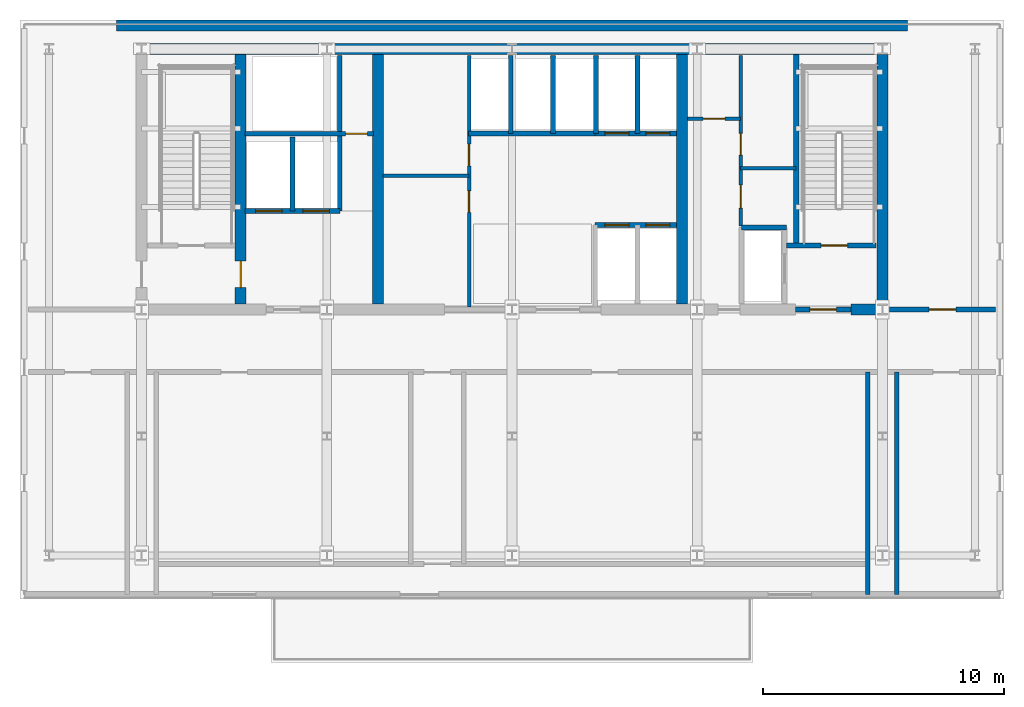
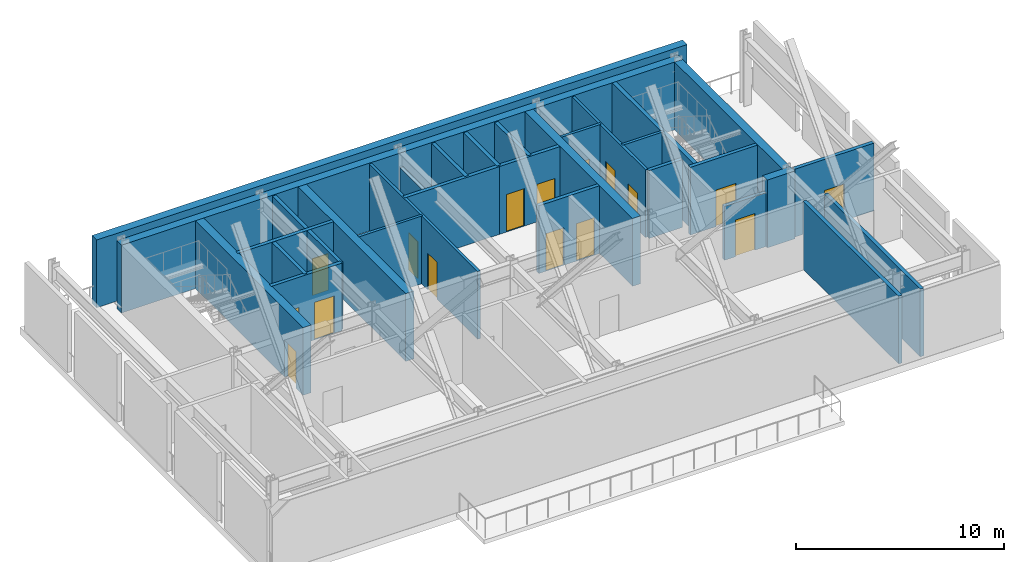
# One storey, part 3 of 8: 30 walls, 16 doors, 16 openings.
"""IFC4 building model written with IfcOpenShell, lengths in metres."""

from ifc_helpers import new_model, si_unit, direction, frame, frame_2d, origin, place, context, subcontext, project, spatial, rectangle, extrude, material, layer, layer_set, type_object, element, fill, save


model = new_model("IFC4")

# Units and contexts
model_context = context("Model", 3, precision=1e-05, world=origin(), true_north=direction((0.0, 1.0)))
body_context = subcontext(model_context, "Body", "Model", "MODEL_VIEW")
ifc_project = project(units=[si_unit("LENGTHUNIT", "METRE"), si_unit("AREAUNIT", "SQUARE_METRE"), si_unit("VOLUMEUNIT", "CUBIC_METRE"), si_unit("PLANEANGLEUNIT", "RADIAN"), si_unit("MASSUNIT", "GRAM", prefix="KILO")], contexts=[model_context])

# Site, building, storey
site_placement = place(None, origin())
site = spatial("IfcSite", under=ifc_project, at=site_placement, CompositionType="ELEMENT")
building_placement = place(site_placement, origin())
building = spatial("IfcBuilding", under=site, at=building_placement, Name="Yelkora Congress Tower", CompositionType="ELEMENT")
storey_placement = place(building_placement, frame((0.0, 0.0, 191.89990234375)))
storey = spatial("IfcBuildingStorey", under=building, at=storey_placement, Name="L53", CompositionType="ELEMENT", Elevation=191.89990234375)

# Walls
ifc_material_1 = material(Name="Concrete C60/75", Category="concrete")
ifc_layer_1 = layer(ifc_material_1, 0.449951171875)
ifc_layer_set_1 = layer_set([ifc_layer_1], Name="Concrete C60/75")
wall_type_1 = type_object("IfcWallType", Name="WALL-CORE-EXT-450", PredefinedType="SHEAR", material=ifc_layer_set_1)
wall_1_placement = place(storey_placement, frame((22.0, 47.175048828125, 0.0), z_axis=(0.0, 0.0, 1.0), x_axis=(1.0, 0.0, 0.0)))
element("IfcWall", 1, at=wall_1_placement, inside=storey, type_object=wall_type_1, Name="L53 Exterior North Core Shear Wall", PredefinedType="SHEAR", context=body_context, shape_type="SweptSolid", body=[
    extrude(rectangle(XDim=32.800048828125, YDim=0.449951171875, at=frame_2d((16.39990234375, 0.0))), origin(), (0.0, 0.0, 1.0), 3.97998046875),
])
ifc_material_2 = material(Name="Concrete C50/60", Category="concrete")
ifc_layer_2 = layer(ifc_material_2, 0.219970703125)
ifc_layer_set_2 = layer_set([ifc_layer_2], Name="Concrete C50/60")
wall_type_2 = type_object("IfcWallType", Name="WALL-CORE-INT-220", PredefinedType="SHEAR", material=ifc_layer_set_2)
wall_2_placement = place(storey_placement, frame((50.179931640625, 38.050048828125, 0.0), z_axis=(0.0, 0.0, 1.0), x_axis=(0.0, 1.0, 0.0)))
element("IfcWall", 2, at=wall_2_placement, inside=storey, type_object=wall_type_2, Name="L53 ST02 West Stair Shear Wall", PredefinedType="SHEAR", context=body_context, shape_type="SweptSolid", body=[
    extrude(rectangle(XDim=7.925048828125, YDim=0.219970703125, at=frame_2d((3.96240234375, 0.0))), origin(), (0.0, 0.0, 1.0), 3.97998046875),
])
ifc_layer_3 = layer(ifc_material_1, 0.449951171875)
ifc_layer_set_3 = layer_set([ifc_layer_3], Name="Concrete C60/75")
wall_type_3 = type_object("IfcWallType", Name="WALL-CORE-INT-450", PredefinedType="SHEAR", material=ifc_layer_set_3)
wall_3_placement = place(storey_placement, frame((22.81494140625, 46.199951171875, 0.0), z_axis=(0.0, 0.0, 1.0), x_axis=(1.0, 0.0, 0.0)))
element("IfcWall", 3, at=wall_3_placement, inside=storey, type_object=wall_type_3, Name="L53 Rear Core North Shear Wall", PredefinedType="SHEAR", context=body_context, shape_type="SweptSolid", body=[
    extrude(rectangle(XDim=31.170166015625, YDim=0.449951171875, at=frame_2d((15.5849609375, 0.0))), origin(), (0.0, 0.0, 1.0), 3.97998046875),
])
wall_4_placement = place(storey_placement, frame((52.449951171875, 35.39990234375, 0.0), z_axis=(0.0, 0.0, 1.0), x_axis=(1.0, 0.0, 0.0)))
element("IfcWall", 4, at=wall_4_placement, inside=storey, type_object=wall_type_3, Name="L53 Rear Core South-East Shear Wall B", PredefinedType="SHEAR", context=body_context, shape_type="SweptSolid", body=[
    extrude(rectangle(XDim=1.53515625, YDim=0.449951171875, at=frame_2d((0.767578125, 0.0))), origin(), (0.0, 0.0, 1.0), 3.97998046875),
])

# Wall, opening, door
wall_5_placement = place(storey_placement, frame((27.14990234375, 35.625, 0.0), z_axis=(0.0, 0.0, 1.0), x_axis=(0.0, 1.0, 0.0)))
wall_5 = element("IfcWall", 5, at=wall_5_placement, inside=storey, type_object=wall_type_3, Name="L53 Rear Core Cross Shear Wall C1", PredefinedType="SHEAR", context=body_context, shape_type="SweptSolid", body=[
    extrude(rectangle(XDim=10.35009765625, YDim=0.449951171875, at=frame_2d((5.175048828125, 0.0))), origin(), (0.0, 0.0, 1.0), 3.97998046875),
])
opening_1_placement = place(wall_5_placement, frame((0.675048828125, 0.0, 0.0)))
opening_1 = element("IfcOpeningElement", 6, at=opening_1_placement, cuts=wall_5, Name="Opening DR-110F9", PredefinedType="OPENING", context=body_context, shape_type="SweptSolid", body=[
    extrude(rectangle(XDim=1.10009765625, YDim=2.14990234375, at=frame_2d((0.550048828125, 1.074951171875))), frame((0.0, 0.23486328125, 0.0), z_axis=(0.0, -1.0, 0.0), x_axis=(1.0, 0.0, 0.0)), (0.0, 0.0, 1.0), 0.469970703125),
])
ifc_material_3 = material(Name="Galvanised steel fire door leaf", Category="steel")
door_type_1 = type_object("IfcDoorType", Name="DOOR-FD90-1100", OperationType="NOTDEFINED", PredefinedType="DOOR", material=ifc_material_3)
door_1_placement = place(opening_1_placement, origin())
door_1 = element("IfcDoor", 7, at=door_1_placement, inside=storey, type_object=door_type_1, Name="L53 Firefighting Stair Transfer Door", OperationType="SINGLE_SWING_LEFT", OverallHeight=2.14990234375, OverallWidth=1.10009765625, PredefinedType="DOOR", context=body_context, shape_type="SweptSolid", body=[
    extrude(rectangle(XDim=1.10009765625, YDim=2.14990234375, at=frame_2d((0.550048828125, 1.074951171875))), frame((0.0, 0.02490234375, 0.0), z_axis=(0.0, -1.0, 0.0), x_axis=(1.0, 0.0, 0.0)), (0.0, 0.0, 1.0), 0.050048828125),
])
fill(opening_1, door_1)

# Walls
for number, where, z_axis, x_axis, name in (
    (8, (32.85009765625, 35.625, 0.0), (0.0, 0.0, 1.0), (0.0, 1.0, 0.0), "L53 Rear Core Cross Shear Wall C2"),
    (9, (45.449951171875, 35.625, 0.0), (0.0, 0.0, 1.0), (0.0, 1.0, 0.0), "L53 Rear Core Cross Shear Wall C3"),
    (10, (53.760009765625, 35.625, 0.0), (0.0, 0.0, 1.0), (0.0, 1.0, 0.0), "L53 Rear Core Cross Shear Wall E"),
):
    element("IfcWall", number, at=place(storey_placement, frame(where, z_axis=z_axis, x_axis=x_axis)), inside=storey, type_object=wall_type_3, Name=name, PredefinedType="SHEAR", context=body_context, shape_type="SweptSolid", body=[
        extrude(rectangle(XDim=10.35009765625, YDim=0.449951171875, at=frame_2d((5.175048828125, 0.0))), origin(), (0.0, 0.0, 1.0), 3.97998046875),
    ])

# Wall, opening, door
ifc_material_4 = material(Name="Acoustic metal-stud gypsum partition", Category="gypsum")
ifc_layer_4 = layer(ifc_material_4, 0.14990234375)
ifc_layer_set_4 = layer_set([ifc_layer_4], Name="Acoustic metal-stud gypsum partition")
wall_type_4 = type_object("IfcWallType", Name="WALL-INT-150-NR", PredefinedType="PARTITIONING", material=ifc_layer_set_4)
wall_6_placement = place(storey_placement, frame((45.679931640625, 43.31005859375, 0.0), z_axis=(0.0, 0.0, 1.0), x_axis=(1.0, 0.0, 0.0)))
wall_6 = element("IfcWall", 11, at=wall_6_placement, inside=storey, type_object=wall_type_4, Name="L53 Partition Wall 24", PredefinedType="PARTITIONING", context=body_context, shape_type="SweptSolid", body=[
    extrude(rectangle(XDim=2.199951171875, YDim=0.14990234375, at=frame_2d((1.10009765625, 0.0))), origin(), (0.0, 0.0, 1.0), 3.97998046875),
])
opening_2_placement = place(wall_6_placement, frame((0.64990234375, 0.0, 0.0)))
opening_2 = element("IfcOpeningElement", 12, at=opening_2_placement, cuts=wall_6, Name="Opening DR-090N", PredefinedType="OPENING", context=body_context, shape_type="SweptSolid", body=[
    extrude(rectangle(XDim=0.89990234375, YDim=2.14990234375, at=frame_2d((0.449951171875, 1.074951171875))), frame((0.0, 0.0849609375, 0.0), z_axis=(0.0, -1.0, 0.0), x_axis=(1.0, 0.0, 0.0)), (0.0, 0.0, 1.0), 0.169921875),
])
ifc_material_5 = material(Name="Moisture-resistant laminate door leaf", Category="wood")
door_type_2 = type_object("IfcDoorType", Name="DOOR-INT-900", OperationType="NOTDEFINED", PredefinedType="DOOR", material=ifc_material_5)
door_2_placement = place(opening_2_placement, origin())
door_2 = element("IfcDoor", 13, at=door_2_placement, inside=storey, type_object=door_type_2, Name="L53 Male WC Door", OperationType="SINGLE_SWING_RIGHT", OverallHeight=2.14990234375, OverallWidth=0.89990234375, PredefinedType="DOOR", context=body_context, shape_type="SweptSolid", body=[
    extrude(rectangle(XDim=0.89990234375, YDim=2.14990234375, at=frame_2d((0.449951171875, 1.074951171875))), frame((0.0, 0.02490234375, 0.0), z_axis=(0.0, -1.0, 0.0), x_axis=(1.0, 0.0, 0.0)), (0.0, 0.0, 1.0), 0.050048828125),
])
fill(opening_2, door_2)

# Wall
wall_7_placement = place(storey_placement, frame((47.8798828125, 41.260009765625, 0.0), z_axis=(0.0, 0.0, 1.0), x_axis=(1.0, 0.0, 0.0)))
element("IfcWall", 14, at=wall_7_placement, inside=storey, type_object=wall_type_4, Name="L53 Partition Wall 25", PredefinedType="PARTITIONING", context=body_context, shape_type="SweptSolid", body=[
    extrude(rectangle(XDim=2.300048828125, YDim=0.14990234375, at=frame_2d((1.14990234375, 0.0))), origin(), (0.0, 0.0, 1.0), 3.97998046875),
])

# Wall, openings, doors
wall_8_placement = place(storey_placement, frame((47.8798828125, 38.85009765625, 0.0), z_axis=(0.0, 0.0, 1.0), x_axis=(0.0, 1.0, 0.0)))
wall_8 = element("IfcWall", 15, at=wall_8_placement, inside=storey, type_object=wall_type_4, Name="L53 Partition Wall 26", PredefinedType="PARTITIONING", context=body_context, shape_type="SweptSolid", body=[
    extrude(rectangle(XDim=7.06982421875, YDim=0.14990234375, at=frame_2d((3.534912109375, 0.0))), origin(), (0.0, 0.0, 1.0), 3.97998046875),
])
opening_3_placement = place(wall_8_placement, frame((0.75, 0.0, 0.0)))
opening_3 = element("IfcOpeningElement", 16, at=opening_3_placement, cuts=wall_8, Name="Opening DR-095N", PredefinedType="OPENING", context=body_context, shape_type="SweptSolid", body=[
    extrude(rectangle(XDim=0.949951171875, YDim=2.14990234375, at=frame_2d((0.47509765625, 1.074951171875))), frame((0.0, 0.0849609375, 0.0), z_axis=(0.0, -1.0, 0.0), x_axis=(1.0, 0.0, 0.0)), (0.0, 0.0, 1.0), 0.169921875),
])
opening_4_placement = place(wall_8_placement, frame((2.949951171875, 0.0, 0.0)))
opening_4 = element("IfcOpeningElement", 17, at=opening_4_placement, cuts=wall_8, Name="Opening DR-090N", PredefinedType="OPENING", context=body_context, shape_type="SweptSolid", body=[
    extrude(rectangle(XDim=0.89990234375, YDim=2.14990234375, at=frame_2d((0.449951171875, 1.074951171875))), frame((0.0, 0.0849609375, 0.0), z_axis=(0.0, -1.0, 0.0), x_axis=(1.0, 0.0, 0.0)), (0.0, 0.0, 1.0), 0.169921875),
])
door_3_placement = place(opening_4_placement, origin())
door_3 = element("IfcDoor", 18, at=door_3_placement, inside=storey, type_object=door_type_2, Name="L53 Female WC Door", OperationType="SINGLE_SWING_RIGHT", OverallHeight=2.14990234375, OverallWidth=0.89990234375, PredefinedType="DOOR", context=body_context, shape_type="SweptSolid", body=[
    extrude(rectangle(XDim=0.89990234375, YDim=2.14990234375, at=frame_2d((0.449951171875, 1.074951171875))), frame((0.0, 0.02490234375, 0.0), z_axis=(0.0, -1.0, 0.0), x_axis=(1.0, 0.0, 0.0)), (0.0, 0.0, 1.0), 0.050048828125),
])
fill(opening_4, door_3)
ifc_material_6 = material(Name="Acoustic laminated timber office door", Category="wood")
door_type_3 = type_object("IfcDoorType", Name="DOOR-INT-950", OperationType="NOTDEFINED", PredefinedType="DOOR", material=ifc_material_6)
door_4_placement = place(opening_3_placement, origin())
door_4 = element("IfcDoor", 19, at=door_4_placement, inside=storey, type_object=door_type_3, Name="L53 Accessible WC Door", OperationType="SINGLE_SWING_LEFT", OverallHeight=2.14990234375, OverallWidth=0.949951171875, PredefinedType="DOOR", context=body_context, shape_type="SweptSolid", body=[
    extrude(rectangle(XDim=0.949951171875, YDim=2.14990234375, at=frame_2d((0.47509765625, 1.074951171875))), frame((0.0, 0.02490234375, 0.0), z_axis=(0.0, -1.0, 0.0), x_axis=(1.0, 0.0, 0.0)), (0.0, 0.0, 1.0), 0.050048828125),
])
fill(opening_3, door_4)

# Wall
ifc_material_7 = material(Name="Twin-stud fire-rated gypsum partition", Category="gypsum")
ifc_layer_5 = layer(ifc_material_7, 0.14990234375)
ifc_layer_set_5 = layer_set([ifc_layer_5], Name="Twin-stud fire-rated gypsum partition")
wall_type_5 = type_object("IfcWallType", Name="WALL-INT-150-R60", PredefinedType="PARTITIONING", material=ifc_layer_set_5)
wall_9_placement = place(storey_placement, frame((33.050048828125, 40.949951171875, 0.0), z_axis=(0.0, 0.0, 1.0), x_axis=(1.0, 0.0, 0.0)))
element("IfcWall", 20, at=wall_9_placement, inside=storey, type_object=wall_type_5, Name="L53 Partition Wall 11", PredefinedType="PARTITIONING", context=body_context, shape_type="SweptSolid", body=[
    extrude(rectangle(XDim=3.570068359375, YDim=0.14990234375, at=frame_2d((1.78515625, 0.0))), origin(), (0.0, 0.0, 1.0), 3.97998046875),
])

# Wall, openings, doors
wall_10_placement = place(storey_placement, frame((36.6201171875, 35.5, 0.0), z_axis=(0.0, 0.0, 1.0), x_axis=(0.0, 1.0, 0.0)))
wall_10 = element("IfcWall", 21, at=wall_10_placement, inside=storey, type_object=wall_type_5, Name="L53 Partition Wall 12", PredefinedType="PARTITIONING", context=body_context, shape_type="SweptSolid", body=[
    extrude(rectangle(XDim=10.419921875, YDim=0.14990234375, at=frame_2d((5.2099609375, 0.0))), origin(), (0.0, 0.0, 1.0), 3.97998046875),
])
opening_5_placement = place(wall_10_placement, frame((3.919921875, 0.0, 0.0)))
opening_5 = element("IfcOpeningElement", 22, at=opening_5_placement, cuts=wall_10, Name="Opening DR-090F6", PredefinedType="OPENING", context=body_context, shape_type="SweptSolid", body=[
    extrude(rectangle(XDim=0.89990234375, YDim=2.14990234375, at=frame_2d((0.449951171875, 1.074951171875))), frame((0.0, 0.0849609375, 0.0), z_axis=(0.0, -1.0, 0.0), x_axis=(1.0, 0.0, 0.0)), (0.0, 0.0, 1.0), 0.169921875),
])
opening_6_placement = place(wall_10_placement, frame((5.85009765625, 0.0, 0.0)))
opening_6 = element("IfcOpeningElement", 23, at=opening_6_placement, cuts=wall_10, Name="Opening DR-090F6", PredefinedType="OPENING", context=body_context, shape_type="SweptSolid", body=[
    extrude(rectangle(XDim=0.89990234375, YDim=2.14990234375, at=frame_2d((0.449951171875, 1.074951171875))), frame((0.0, 0.0849609375, 0.0), z_axis=(0.0, -1.0, 0.0), x_axis=(1.0, 0.0, 0.0)), (0.0, 0.0, 1.0), 0.169921875),
])
ifc_material_8 = material(Name="Painted steel riser fire door leaf", Category="steel")
door_type_4 = type_object("IfcDoorType", Name="DOOR-FD60-900", OperationType="NOTDEFINED", PredefinedType="DOOR", material=ifc_material_8)
door_5_placement = place(opening_5_placement, origin())
door_5 = element("IfcDoor", 24, at=door_5_placement, inside=storey, type_object=door_type_4, Name="L53 Telecom Store Door", OperationType="SINGLE_SWING_LEFT", OverallHeight=2.14990234375, OverallWidth=0.89990234375, PredefinedType="DOOR", context=body_context, shape_type="SweptSolid", body=[
    extrude(rectangle(XDim=0.89990234375, YDim=2.14990234375, at=frame_2d((0.449951171875, 1.074951171875))), frame((0.0, 0.02490234375, 0.0), z_axis=(0.0, -1.0, 0.0), x_axis=(1.0, 0.0, 0.0)), (0.0, 0.0, 1.0), 0.050048828125),
])
fill(opening_5, door_5)
door_6_placement = place(opening_6_placement, origin())
door_6 = element("IfcDoor", 25, at=door_6_placement, inside=storey, type_object=door_type_4, Name="L53 Archive Store Door", OperationType="SINGLE_SWING_RIGHT", OverallHeight=2.14990234375, OverallWidth=0.89990234375, PredefinedType="DOOR", context=body_context, shape_type="SweptSolid", body=[
    extrude(rectangle(XDim=0.89990234375, YDim=2.14990234375, at=frame_2d((0.449951171875, 1.074951171875))), frame((0.0, 0.02490234375, 0.0), z_axis=(0.0, -1.0, 0.0), x_axis=(1.0, 0.0, 0.0)), (0.0, 0.0, 1.0), 0.050048828125),
])
fill(opening_6, door_6)

ifc_material_9 = material(Name="Autoclaved aerated concrete blockwork", Category="masonry")
ifc_layer_6 = layer(ifc_material_9, 0.199951171875)
ifc_layer_set_6 = layer_set([ifc_layer_6], Name="Autoclaved aerated concrete blockwork")
wall_type_6 = type_object("IfcWallType", Name="WALL-INT-200-R120", PredefinedType="PARTITIONING", material=ifc_layer_set_6)
wall_11_placement = place(storey_placement, frame((27.320068359375, 39.47998046875, 0.0), z_axis=(0.0, 0.0, 1.0), x_axis=(1.0, 0.0, 0.0)))
wall_11 = element("IfcWall", 26, at=wall_11_placement, inside=storey, type_object=wall_type_6, Name="L53 Firefighting Lift Front Wall", PredefinedType="PARTITIONING", context=body_context, shape_type="SweptSolid", body=[
    extrude(rectangle(XDim=3.93994140625, YDim=0.199951171875, at=frame_2d((1.969970703125, 0.0))), origin(), (0.0, 0.0, 1.0), 3.97998046875),
])
opening_7_placement = place(wall_11_placement, frame((0.449951171875, 0.0, 0.0)))
opening_7 = element("IfcOpeningElement", 27, at=opening_7_placement, cuts=wall_11, Name="Opening LD-FF11", PredefinedType="OPENING", context=body_context, shape_type="SweptSolid", body=[
    extrude(rectangle(XDim=1.10009765625, YDim=2.199951171875, at=frame_2d((0.550048828125, 1.10009765625))), frame((0.0, 0.10986328125, 0.0), z_axis=(0.0, -1.0, 0.0), x_axis=(1.0, 0.0, 0.0)), (0.0, 0.0, 1.0), 0.219970703125),
])
opening_8_placement = place(wall_11_placement, frame((2.409912109375, 0.0, 0.0)))
opening_8 = element("IfcOpeningElement", 28, at=opening_8_placement, cuts=wall_11, Name="Opening LD-FF11", PredefinedType="OPENING", context=body_context, shape_type="SweptSolid", body=[
    extrude(rectangle(XDim=1.10009765625, YDim=2.199951171875, at=frame_2d((0.550048828125, 1.10009765625))), frame((0.0, 0.10986328125, 0.0), z_axis=(0.0, -1.0, 0.0), x_axis=(1.0, 0.0, 0.0)), (0.0, 0.0, 1.0), 0.219970703125),
])
ifc_material_10 = material(Name="Brushed stainless steel 316L landing door", Category="steel")
door_type_5 = type_object("IfcDoorType", Name="DOOR-LIFT-FF-1100", OperationType="DOUBLE_DOOR_SLIDING", PredefinedType="DOOR", material=ifc_material_10)
door_7_placement = place(opening_7_placement, origin())
door_7 = element("IfcDoor", 29, at=door_7_placement, inside=storey, type_object=door_type_5, Name="Lift Landing Door LF-FF1 L53", OperationType="DOUBLE_DOOR_SLIDING", OverallHeight=2.199951171875, OverallWidth=1.10009765625, PredefinedType="DOOR", context=body_context, shape_type="SweptSolid", body=[
    extrude(rectangle(XDim=1.10009765625, YDim=2.199951171875, at=frame_2d((0.550048828125, 1.10009765625))), frame((0.0, 0.02490234375, 0.0), z_axis=(0.0, -1.0, 0.0), x_axis=(1.0, 0.0, 0.0)), (0.0, 0.0, 1.0), 0.050048828125),
])
fill(opening_7, door_7)
door_8_placement = place(opening_8_placement, origin())
door_8 = element("IfcDoor", 30, at=door_8_placement, inside=storey, type_object=door_type_5, Name="Lift Landing Door LF-FF2 L53", OperationType="DOUBLE_DOOR_SLIDING", OverallHeight=2.199951171875, OverallWidth=1.10009765625, PredefinedType="DOOR", context=body_context, shape_type="SweptSolid", body=[
    extrude(rectangle(XDim=1.10009765625, YDim=2.199951171875, at=frame_2d((0.550048828125, 1.10009765625))), frame((0.0, 0.02490234375, 0.0), z_axis=(0.0, -1.0, 0.0), x_axis=(1.0, 0.0, 0.0)), (0.0, 0.0, 1.0), 0.050048828125),
])
fill(opening_8, door_8)

# Walls
wall_12_placement = place(storey_placement, frame((29.300048828125, 39.47998046875, 0.0), z_axis=(0.0, 0.0, 1.0), x_axis=(0.0, 1.0, 0.0)))
element("IfcWall", 31, at=wall_12_placement, inside=storey, type_object=wall_type_6, Name="L53 Partition Wall 4", PredefinedType="PARTITIONING", context=body_context, shape_type="SweptSolid", body=[
    extrude(rectangle(XDim=3.070068359375, YDim=0.199951171875, at=frame_2d((1.53515625, 0.0))), origin(), (0.0, 0.0, 1.0), 3.97998046875),
])
wall_13_placement = place(storey_placement, frame((31.260009765625, 39.47998046875, 0.0), z_axis=(0.0, 0.0, 1.0), x_axis=(0.0, 1.0, 0.0)))
element("IfcWall", 32, at=wall_13_placement, inside=storey, type_object=wall_type_6, Name="L53 Partition Wall 5", PredefinedType="PARTITIONING", context=body_context, shape_type="SweptSolid", body=[
    extrude(rectangle(XDim=6.43994140625, YDim=0.199951171875, at=frame_2d((3.219970703125, 0.0))), origin(), (0.0, 0.0, 1.0), 3.97998046875),
])

# Wall, opening, door
wall_14_placement = place(storey_placement, frame((27.320068359375, 42.679931640625, 0.0), z_axis=(0.0, 0.0, 1.0), x_axis=(1.0, 0.0, 0.0)))
wall_14 = element("IfcWall", 33, at=wall_14_placement, inside=storey, type_object=wall_type_6, Name="L53 Smoke Riser South Wall", PredefinedType="PARTITIONING", context=body_context, shape_type="SweptSolid", body=[
    extrude(rectangle(XDim=5.329833984375, YDim=0.199951171875, at=frame_2d((2.6650390625, 0.0))), origin(), (0.0, 0.0, 1.0), 3.97998046875),
])
opening_9_placement = place(wall_14_placement, frame((4.179931640625, 0.0, 0.0)))
opening_9 = element("IfcOpeningElement", 34, at=opening_9_placement, cuts=wall_14, Name="Opening DR-090F6", PredefinedType="OPENING", context=body_context, shape_type="SweptSolid", body=[
    extrude(rectangle(XDim=0.89990234375, YDim=2.14990234375, at=frame_2d((0.449951171875, 1.074951171875))), frame((0.0, 0.10986328125, 0.0), z_axis=(0.0, -1.0, 0.0), x_axis=(1.0, 0.0, 0.0)), (0.0, 0.0, 1.0), 0.219970703125),
])
door_9_placement = place(opening_9_placement, origin())
door_9 = element("IfcDoor", 35, at=door_9_placement, inside=storey, type_object=door_type_4, Name="L53 Riser Access Door", OperationType="SINGLE_SWING_LEFT", OverallHeight=2.14990234375, OverallWidth=0.89990234375, PredefinedType="DOOR", context=body_context, shape_type="SweptSolid", body=[
    extrude(rectangle(XDim=0.89990234375, YDim=2.14990234375, at=frame_2d((0.449951171875, 1.074951171875))), frame((0.0, 0.02490234375, 0.0), z_axis=(0.0, -1.0, 0.0), x_axis=(1.0, 0.0, 0.0)), (0.0, 0.0, 1.0), 0.050048828125),
])
fill(opening_9, door_9)

# Walls
wall_15_placement = place(storey_placement, frame((36.60009765625, 42.699951171875, 0.0), z_axis=(0.0, 0.0, 1.0), x_axis=(1.0, 0.0, 0.0)))
element("IfcWall", 36, at=wall_15_placement, inside=storey, type_object=wall_type_6, Name="L53 Partition Wall 8", PredefinedType="PARTITIONING", context=body_context, shape_type="SweptSolid", body=[
    extrude(rectangle(XDim=5.25, YDim=0.199951171875, at=frame_2d((2.625, 0.0))), origin(), (0.0, 0.0, 1.0), 3.97998046875),
])
wall_16_placement = place(storey_placement, frame((38.35009765625, 42.699951171875, 0.0), z_axis=(0.0, 0.0, 1.0), x_axis=(0.0, 1.0, 0.0)))
element("IfcWall", 37, at=wall_16_placement, inside=storey, type_object=wall_type_6, Name="L53 Partition Wall 9", PredefinedType="PARTITIONING", context=body_context, shape_type="SweptSolid", body=[
    extrude(rectangle(XDim=3.219970703125, YDim=0.199951171875, at=frame_2d((1.60986328125, 0.0))), origin(), (0.0, 0.0, 1.0), 3.1611328125),
])
wall_17_placement = place(storey_placement, frame((40.10009765625, 42.699951171875, 0.0), z_axis=(0.0, 0.0, 1.0), x_axis=(0.0, 1.0, 0.0)))
element("IfcWall", 38, at=wall_17_placement, inside=storey, type_object=wall_type_6, Name="L53 Partition Wall 10", PredefinedType="PARTITIONING", context=body_context, shape_type="SweptSolid", body=[
    extrude(rectangle(XDim=3.219970703125, YDim=0.199951171875, at=frame_2d((1.60986328125, 0.0))), origin(), (0.0, 0.0, 1.0), 3.97998046875),
])

# Wall, openings, doors
wall_18_placement = place(storey_placement, frame((41.85009765625, 38.89990234375, 0.0), z_axis=(0.0, 0.0, 1.0), x_axis=(1.0, 0.0, 0.0)))
wall_18 = element("IfcWall", 39, at=wall_18_placement, inside=storey, type_object=wall_type_6, Name="L53 Partition Wall 13", PredefinedType="PARTITIONING", context=body_context, shape_type="SweptSolid", body=[
    extrude(rectangle(XDim=3.369873046875, YDim=0.199951171875, at=frame_2d((1.68505859375, 0.0))), origin(), (0.0, 0.0, 1.0), 3.97998046875),
])
opening_10_placement = place(wall_18_placement, frame((0.39990234375, 0.0, 0.0)))
opening_10 = element("IfcOpeningElement", 40, at=opening_10_placement, cuts=wall_18, Name="Opening LD-PS10", PredefinedType="OPENING", context=body_context, shape_type="SweptSolid", body=[
    extrude(rectangle(XDim=1.0, YDim=2.199951171875, at=frame_2d((0.5, 1.10009765625))), frame((0.0, 0.10986328125, 0.0), z_axis=(0.0, -1.0, 0.0), x_axis=(1.0, 0.0, 0.0)), (0.0, 0.0, 1.0), 0.219970703125),
])
opening_11_placement = place(wall_18_placement, frame((2.10009765625, 0.0, 0.0)))
opening_11 = element("IfcOpeningElement", 41, at=opening_11_placement, cuts=wall_18, Name="Opening LD-PS10", PredefinedType="OPENING", context=body_context, shape_type="SweptSolid", body=[
    extrude(rectangle(XDim=1.0, YDim=2.199951171875, at=frame_2d((0.5, 1.10009765625))), frame((0.0, 0.10986328125, 0.0), z_axis=(0.0, -1.0, 0.0), x_axis=(1.0, 0.0, 0.0)), (0.0, 0.0, 1.0), 0.219970703125),
])
ifc_material_11 = material(Name="Champagne stainless steel landing door", Category="steel")
door_type_6 = type_object("IfcDoorType", Name="DOOR-LIFT-PAS-1000", OperationType="DOUBLE_DOOR_SLIDING", PredefinedType="DOOR", material=ifc_material_11)
door_10_placement = place(opening_10_placement, origin())
door_10 = element("IfcDoor", 42, at=door_10_placement, inside=storey, type_object=door_type_6, Name="Lift Landing Door LF-P5 L53", OperationType="DOUBLE_DOOR_SLIDING", OverallHeight=2.199951171875, OverallWidth=1.0, PredefinedType="DOOR", context=body_context, shape_type="SweptSolid", body=[
    extrude(rectangle(XDim=1.0, YDim=2.199951171875, at=frame_2d((0.5, 1.10009765625))), frame((0.0, 0.02490234375, 0.0), z_axis=(0.0, -1.0, 0.0), x_axis=(1.0, 0.0, 0.0)), (0.0, 0.0, 1.0), 0.050048828125),
])
fill(opening_10, door_10)
door_11_placement = place(opening_11_placement, origin())
door_11 = element("IfcDoor", 43, at=door_11_placement, inside=storey, type_object=door_type_6, Name="Lift Landing Door LF-P6 L53", OperationType="DOUBLE_DOOR_SLIDING", OverallHeight=2.199951171875, OverallWidth=1.0, PredefinedType="DOOR", context=body_context, shape_type="SweptSolid", body=[
    extrude(rectangle(XDim=1.0, YDim=2.199951171875, at=frame_2d((0.5, 1.10009765625))), frame((0.0, 0.02490234375, 0.0), z_axis=(0.0, -1.0, 0.0), x_axis=(1.0, 0.0, 0.0)), (0.0, 0.0, 1.0), 0.050048828125),
])
fill(opening_11, door_11)

wall_19_placement = place(storey_placement, frame((41.85009765625, 42.699951171875, 0.0), z_axis=(0.0, 0.0, 1.0), x_axis=(1.0, 0.0, 0.0)))
wall_19 = element("IfcWall", 44, at=wall_19_placement, inside=storey, type_object=wall_type_6, Name="L53 Partition Wall 14", PredefinedType="PARTITIONING", context=body_context, shape_type="SweptSolid", body=[
    extrude(rectangle(XDim=3.369873046875, YDim=0.199951171875, at=frame_2d((1.68505859375, 0.0))), origin(), (0.0, 0.0, 1.0), 3.97998046875),
])
opening_12_placement = place(wall_19_placement, frame((0.39990234375, 0.0, 0.0)))
opening_12 = element("IfcOpeningElement", 45, at=opening_12_placement, cuts=wall_19, Name="Opening LD-PS10", PredefinedType="OPENING", context=body_context, shape_type="SweptSolid", body=[
    extrude(rectangle(XDim=1.0, YDim=2.199951171875, at=frame_2d((0.5, 1.10009765625))), frame((0.0, 0.10986328125, 0.0), z_axis=(0.0, -1.0, 0.0), x_axis=(1.0, 0.0, 0.0)), (0.0, 0.0, 1.0), 0.219970703125),
])
opening_13_placement = place(wall_19_placement, frame((2.10009765625, 0.0, 0.0)))
opening_13 = element("IfcOpeningElement", 46, at=opening_13_placement, cuts=wall_19, Name="Opening LD-PS10", PredefinedType="OPENING", context=body_context, shape_type="SweptSolid", body=[
    extrude(rectangle(XDim=1.0, YDim=2.199951171875, at=frame_2d((0.5, 1.10009765625))), frame((0.0, 0.10986328125, 0.0), z_axis=(0.0, -1.0, 0.0), x_axis=(1.0, 0.0, 0.0)), (0.0, 0.0, 1.0), 0.219970703125),
])
door_12_placement = place(opening_12_placement, origin())
door_12 = element("IfcDoor", 47, at=door_12_placement, inside=storey, type_object=door_type_6, Name="Lift Landing Door LF-P7 L53", OperationType="DOUBLE_DOOR_SLIDING", OverallHeight=2.199951171875, OverallWidth=1.0, PredefinedType="DOOR", context=body_context, shape_type="SweptSolid", body=[
    extrude(rectangle(XDim=1.0, YDim=2.199951171875, at=frame_2d((0.5, 1.10009765625))), frame((0.0, 0.02490234375, 0.0), z_axis=(0.0, -1.0, 0.0), x_axis=(1.0, 0.0, 0.0)), (0.0, 0.0, 1.0), 0.050048828125),
])
fill(opening_12, door_12)
door_13_placement = place(opening_13_placement, origin())
door_13 = element("IfcDoor", 48, at=door_13_placement, inside=storey, type_object=door_type_6, Name="Lift Landing Door LF-P8 L53", OperationType="DOUBLE_DOOR_SLIDING", OverallHeight=2.199951171875, OverallWidth=1.0, PredefinedType="DOOR", context=body_context, shape_type="SweptSolid", body=[
    extrude(rectangle(XDim=1.0, YDim=2.199951171875, at=frame_2d((0.5, 1.10009765625))), frame((0.0, 0.02490234375, 0.0), z_axis=(0.0, -1.0, 0.0), x_axis=(1.0, 0.0, 0.0)), (0.0, 0.0, 1.0), 0.050048828125),
])
fill(opening_13, door_13)

# Walls
for number, where, z_axis, x_axis, name in (
    (49, (43.60009765625, 42.699951171875, 0.0), (0.0, 0.0, 1.0), (0.0, 1.0, 0.0), "L53 Partition Wall 16"),
    (50, (41.8798828125, 42.699951171875, 0.0), (0.0, 0.0, 1.0), (0.0, 1.0, 0.0), "L53 Partition Wall 18"),
):
    element("IfcWall", number, at=place(storey_placement, frame(where, z_axis=z_axis, x_axis=x_axis)), inside=storey, type_object=wall_type_6, Name=name, PredefinedType="PARTITIONING", context=body_context, shape_type="SweptSolid", body=[
        extrude(rectangle(XDim=3.219970703125, YDim=0.199951171875, at=frame_2d((1.60986328125, 0.0))), origin(), (0.0, 0.0, 1.0), 3.97998046875),
    ])

# Wall, opening, door
wall_20_placement = place(storey_placement, frame((49.780029296875, 38.050048828125, 0.0), z_axis=(0.0, 0.0, 1.0), x_axis=(1.0, 0.0, 0.0)))
wall_20 = element("IfcWall", 51, at=wall_20_placement, inside=storey, type_object=wall_type_6, Name="L53 Stair ST-02 Enclosure Wall", PredefinedType="PARTITIONING", context=body_context, shape_type="SweptSolid", body=[
    extrude(rectangle(XDim=3.719970703125, YDim=0.199951171875, at=frame_2d((1.85986328125, 0.0))), origin(), (0.0, 0.0, 1.0), 3.97998046875),
])
opening_14_placement = place(wall_20_placement, frame((1.436279296875, 0.0, 0.0)))
opening_14 = element("IfcOpeningElement", 52, at=opening_14_placement, cuts=wall_20, Name="Opening DR-110F9", PredefinedType="OPENING", context=body_context, shape_type="SweptSolid", body=[
    extrude(rectangle(XDim=1.10009765625, YDim=2.14990234375, at=frame_2d((0.550048828125, 1.074951171875))), frame((0.0, 0.10986328125, 0.0), z_axis=(0.0, -1.0, 0.0), x_axis=(1.0, 0.0, 0.0)), (0.0, 0.0, 1.0), 0.219970703125),
])
door_14_placement = place(opening_14_placement, origin())
door_14 = element("IfcDoor", 53, at=door_14_placement, inside=storey, type_object=door_type_1, Name="L53 Stair ST-02 Entry Door", OperationType="SINGLE_SWING_LEFT", OverallHeight=2.14990234375, OverallWidth=1.10009765625, PredefinedType="DOOR", context=body_context, shape_type="SweptSolid", body=[
    extrude(rectangle(XDim=1.10009765625, YDim=2.14990234375, at=frame_2d((0.550048828125, 1.074951171875))), frame((0.0, 0.02490234375, 0.0), z_axis=(0.0, -1.0, 0.0), x_axis=(1.0, 0.0, 0.0)), (0.0, 0.0, 1.0), 0.050048828125),
])
fill(opening_14, door_14)

wall_21_placement = place(storey_placement, frame((50.14990234375, 35.39990234375, 0.0), z_axis=(0.0, 0.0, 1.0), x_axis=(1.0, 0.0, 0.0)))
wall_21 = element("IfcWall", 54, at=wall_21_placement, inside=storey, type_object=wall_type_6, Name="L53 Partition Wall 20", PredefinedType="PARTITIONING", context=body_context, shape_type="SweptSolid", body=[
    extrude(rectangle(XDim=2.300048828125, YDim=0.199951171875, at=frame_2d((1.14990234375, 0.0))), origin(), (0.0, 0.0, 1.0), 3.1611328125),
])
opening_15_placement = place(wall_21_placement, frame((0.60009765625, 0.0, 0.0)))
opening_15 = element("IfcOpeningElement", 55, at=opening_15_placement, cuts=wall_21, Name="Opening DR-110F9", PredefinedType="OPENING", context=body_context, shape_type="SweptSolid", body=[
    extrude(rectangle(XDim=1.10009765625, YDim=2.14990234375, at=frame_2d((0.550048828125, 1.074951171875))), frame((0.0, 0.10986328125, 0.0), z_axis=(0.0, -1.0, 0.0), x_axis=(1.0, 0.0, 0.0)), (0.0, 0.0, 1.0), 0.219970703125),
])
door_15_placement = place(opening_15_placement, origin())
door_15 = element("IfcDoor", 56, at=door_15_placement, inside=storey, type_object=door_type_1, Name="L53 East Stair Lobby Door", OperationType="SINGLE_SWING_RIGHT", OverallHeight=2.14990234375, OverallWidth=1.10009765625, PredefinedType="DOOR", context=body_context, shape_type="SweptSolid", body=[
    extrude(rectangle(XDim=1.10009765625, YDim=2.14990234375, at=frame_2d((0.550048828125, 1.074951171875))), frame((0.0, 0.02490234375, 0.0), z_axis=(0.0, -1.0, 0.0), x_axis=(1.0, 0.0, 0.0)), (0.0, 0.0, 1.0), 0.050048828125),
])
fill(opening_15, door_15)

# Wall
wall_22_placement = place(storey_placement, frame((47.919921875, 38.800048828125, 0.0), z_axis=(0.0, 0.0, 1.0), x_axis=(1.0, 0.0, 0.0)))
element("IfcWall", 57, at=wall_22_placement, inside=storey, type_object=wall_type_6, Name="L53 Partition Wall 23", PredefinedType="PARTITIONING", context=body_context, shape_type="SweptSolid", body=[
    extrude(rectangle(XDim=1.860107421875, YDim=0.199951171875, at=frame_2d((0.93017578125, 0.0))), origin(), (0.0, 0.0, 1.0), 3.97998046875),
])

# Wall, opening, door
wall_23_placement = place(storey_placement, frame((54.050048828125, 35.39990234375, 0.0), z_axis=(0.0, 0.0, 1.0), x_axis=(1.0, 0.0, 0.0)))
wall_23 = element("IfcWall", 58, at=wall_23_placement, inside=storey, type_object=wall_type_6, Name="L53 Partition Wall 28", PredefinedType="PARTITIONING", context=body_context, shape_type="SweptSolid", body=[
    extrude(rectangle(XDim=4.39990234375, YDim=0.199951171875, at=frame_2d((2.199951171875, 0.0))), origin(), (0.0, 0.0, 1.0), 3.97998046875),
])
opening_16_placement = place(wall_23_placement, frame((1.64990234375, 0.0, 0.0)))
opening_16 = element("IfcOpeningElement", 59, at=opening_16_placement, cuts=wall_23, Name="Opening DR-110F9", PredefinedType="OPENING", context=body_context, shape_type="SweptSolid", body=[
    extrude(rectangle(XDim=1.10009765625, YDim=2.14990234375, at=frame_2d((0.550048828125, 1.074951171875))), frame((0.0, 0.10986328125, 0.0), z_axis=(0.0, -1.0, 0.0), x_axis=(1.0, 0.0, 0.0)), (0.0, 0.0, 1.0), 0.219970703125),
])
door_16_placement = place(opening_16_placement, origin())
door_16 = element("IfcDoor", 60, at=door_16_placement, inside=storey, type_object=door_type_1, Name="L53 Interior Door 19", OperationType="SINGLE_SWING_LEFT", OverallHeight=2.14990234375, OverallWidth=1.10009765625, PredefinedType="DOOR", context=body_context, shape_type="SweptSolid", body=[
    extrude(rectangle(XDim=1.10009765625, YDim=2.14990234375, at=frame_2d((0.550048828125, 1.074951171875))), frame((0.0, 0.02490234375, 0.0), z_axis=(0.0, -1.0, 0.0), x_axis=(1.0, 0.0, 0.0)), (0.0, 0.0, 1.0), 0.050048828125),
])
fill(opening_16, door_16)

# Walls
for number, where, z_axis, x_axis, name in (
    (61, (53.14990234375, 23.580078125, 0.0), (0.0, 0.0, 1.0), (0.0, 1.0, 0.0), "L53 Partition Wall 31"),
    (62, (54.35009765625, 23.580078125, 0.0), (0.0, 0.0, 1.0), (0.0, 1.0, 0.0), "L53 Partition Wall 32"),
):
    element("IfcWall", number, at=place(storey_placement, frame(where, z_axis=z_axis, x_axis=x_axis)), inside=storey, type_object=wall_type_6, Name=name, PredefinedType="PARTITIONING", context=body_context, shape_type="SweptSolid", body=[
        extrude(rectangle(XDim=9.219970703125, YDim=0.199951171875, at=frame_2d((4.60986328125, 0.0))), origin(), (0.0, 0.0, 1.0), 3.97998046875),
    ])

save(model, "model.ifc")
